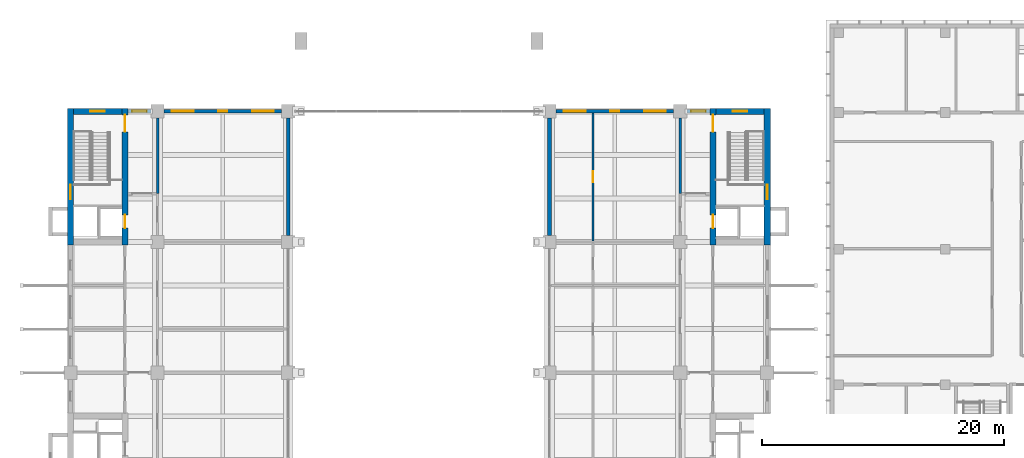
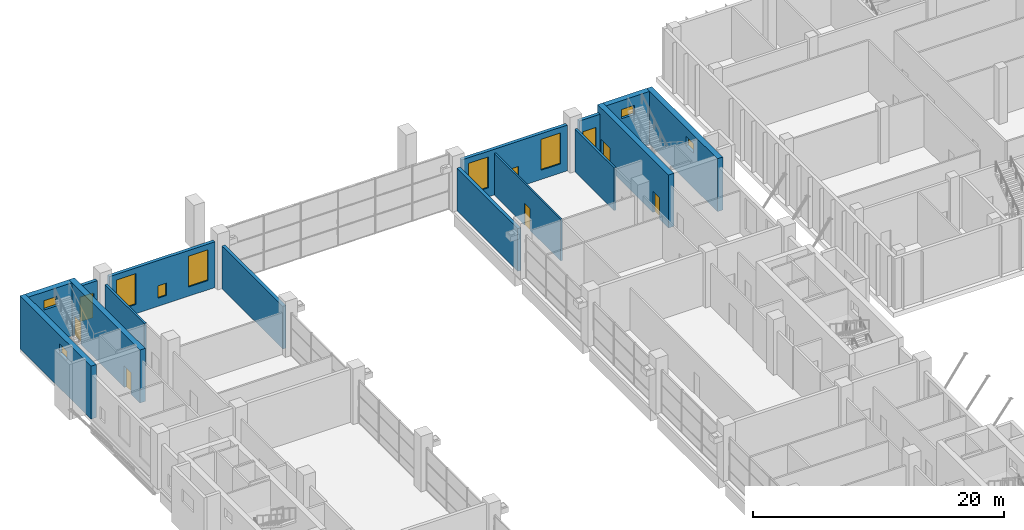
# One storey, part 24 of 38: 15 walls, 12 windows, 5 doors, 17 openings.
"""IFC4 building model written with IfcOpenShell, lengths in metres."""

from ifc_helpers import new_model, si_unit, direction, frame, frame_2d, origin, place, context, subcontext, project, spatial, rectangle, extrude, material, layer, layer_set, type_object, element, fill, save


model = new_model("IFC4")

# Units and contexts
model_context = context("Model", 3, precision=1e-05, world=origin(), true_north=direction((0.0, 1.0)))
body_context = subcontext(model_context, "Body", "Model", "MODEL_VIEW")
ifc_project = project(units=[si_unit("LENGTHUNIT", "METRE"), si_unit("AREAUNIT", "SQUARE_METRE"), si_unit("VOLUMEUNIT", "CUBIC_METRE"), si_unit("PLANEANGLEUNIT", "RADIAN"), si_unit("MASSUNIT", "GRAM", prefix="KILO")], contexts=[model_context])

# Site, building, storey
site_placement = place(None, origin())
site = spatial("IfcSite", under=ifc_project, at=site_placement, CompositionType="ELEMENT")
building_placement = place(site_placement, origin())
building = spatial("IfcBuilding", under=site, at=building_placement, Name="Basin Gate Institute", CompositionType="ELEMENT")
storey_placement = place(building_placement, frame((0.0, 0.0, 16.800048828125)))
storey = spatial("IfcBuildingStorey", under=building, at=storey_placement, Name="L03", CompositionType="ELEMENT", Elevation=16.800048828125)

# Walls
ifc_material_1 = material(Name="Fire-resisting board wall assembly")
ifc_layer_1 = layer(ifc_material_1, 0.300048828125)
ifc_layer_set_1 = layer_set([ifc_layer_1], Name="Atrium enclosure wall EW4")
wall_type_1 = type_object("IfcWallType", Name="Atrium enclosure wall EW4", PredefinedType="STANDARD", material=ifc_layer_set_1)
for number, where, z_axis, x_axis, name in (
    (1, (79.199951171875, 89.64990234375, 0.0), (0.0, 0.0, 1.0), (0.0, 1.0, 0.0), "Atrium enclosure wall W wing bay 6 L03"),
    (2, (100.800048828125, 89.64990234375, 0.0), (0.0, 0.0, 1.0), (0.0, 1.0, 0.0), "Atrium enclosure wall E wing bay 6 L03"),
):
    element("IfcWall", number, at=place(storey_placement, frame(where, z_axis=z_axis, x_axis=x_axis)), inside=storey, type_object=wall_type_1, material=ifc_layer_set_1, Name=name, PredefinedType="STANDARD", context=body_context, shape_type="SweptSolid", body=[
        extrude(rectangle(XDim=9.7001953125, YDim=0.300048828125, at=frame_2d((4.85009765625, 0.0))), origin(), (0.0, 0.0, 1.0), 4.14990234375),
    ])
ifc_material_2 = material(Name="Fire-rated masonry", Category="masonry")
ifc_layer_2 = layer(ifc_material_2, 0.199951171875)
ifc_layer_set_2 = layer_set([ifc_layer_2], Name="Enclosure wall PW2 200 EI 60")
wall_type_2 = type_object("IfcWallType", Name="Enclosure wall PW2 200 EI 60", PredefinedType="PARTITIONING", material=ifc_layer_set_2)
for number, where, z_axis, x_axis, name in (
    (3, (68.39990234375, 93.10009765625, 0.0), (0.0, 0.0, 1.0), (0.0, 1.0, 0.0), "Smoke lobby enclosure wall PW2 L03"),
    (4, (111.60009765625, 93.10009765625, 0.0), (0.0, 0.0, 1.0), (0.0, 1.0, 0.0), "Smoke lobby enclosure wall PW2 L03"),
):
    element("IfcWall", number, at=place(storey_placement, frame(where, z_axis=z_axis, x_axis=x_axis)), inside=storey, type_object=wall_type_2, material=ifc_layer_set_2, Name=name, PredefinedType="PARTITIONING", context=body_context, shape_type="SweptSolid", body=[
        extrude(rectangle(XDim=6.25, YDim=0.199951171875, at=frame_2d((3.125, 0.0))), origin(), (0.0, 0.0, 1.0), 4.14990234375),
    ])

# Wall, opening, window
ifc_material_3 = material(Name="Aluminium-faced insulated panel wall", Category="aluminium")
ifc_layer_3 = layer(ifc_material_3, 0.300048828125)
ifc_layer_set_3 = layer_set([ifc_layer_3], Name="External wall EW1 EI 120")
wall_type_3 = type_object("IfcWallType", Name="External wall EW1 EI 120", PredefinedType="STANDARD", material=ifc_layer_set_3)
wall_1_placement = place(storey_placement, frame((65.949951171875, 99.89990234375, 0.0), z_axis=(0.0, 0.0, 1.0), x_axis=(1.0, 0.0, 0.0)))
wall_1 = element("IfcWall", 5, at=wall_1_placement, inside=storey, type_object=wall_type_3, material=ifc_layer_set_3, Name="External end wall W wing north L03 1", PredefinedType="STANDARD", context=body_context, shape_type="SweptSolid", body=[
    extrude(rectangle(XDim=1.900146484375, YDim=0.300048828125, at=frame_2d((0.9501953125, 0.0))), origin(), (0.0, 0.0, 1.0), 4.449951171875),
])
opening_1_placement = place(wall_1_placement, frame((0.35009765625, 0.0, 0.89990234375)))
opening_1 = element("IfcOpeningElement", 6, at=opening_1_placement, cuts=wall_1, Name="Opening WN4", PredefinedType="OPENING", context=body_context, shape_type="SweptSolid", body=[
    extrude(rectangle(XDim=1.199951171875, YDim=2.39990234375, at=frame_2d((0.60009765625, 1.199951171875))), frame((0.0, 0.16015625, 0.0), z_axis=(0.0, -1.0, 0.0), x_axis=(1.0, 0.0, 0.0)), (0.0, 0.0, 1.0), 0.320068359375),
])
ifc_material_4 = material(Name="Aluminium-framed double glazing", Category="aluminium")
window_type_1 = type_object("IfcWindowType", Name="Corridor end window WN4", PartitioningType="SINGLE_PANEL", PredefinedType="WINDOW", material=ifc_material_4)
window_1_placement = place(opening_1_placement, origin())
window_1 = element("IfcWindow", 7, at=window_1_placement, inside=storey, type_object=window_type_1, material=ifc_material_4, Name="Corridor end window W wing N L03", OverallHeight=2.39990234375, OverallWidth=1.199951171875, PartitioningType="SINGLE_PANEL", PredefinedType="WINDOW", context=body_context, shape_type="SweptSolid", body=[
    extrude(rectangle(XDim=1.199951171875, YDim=2.39990234375, at=frame_2d((0.60009765625, 1.199951171875))), frame((0.0, 0.030029296875, 0.0), z_axis=(0.0, -1.0, 0.0), x_axis=(1.0, 0.0, 0.0)), (0.0, 0.0, 1.0), 0.06005859375),
])
fill(opening_1, window_1)

# Wall, openings, windows
wall_2_placement = place(storey_placement, frame((68.949951171875, 99.89990234375, 0.0), z_axis=(0.0, 0.0, 1.0), x_axis=(1.0, 0.0, 0.0)))
wall_2 = element("IfcWall", 8, at=wall_2_placement, inside=storey, type_object=wall_type_3, material=ifc_layer_set_3, Name="External end wall W wing north L03 2", PredefinedType="STANDARD", context=body_context, shape_type="SweptSolid", body=[
    extrude(rectangle(XDim=9.699951171875, YDim=0.300048828125, at=frame_2d((4.85009765625, 0.0))), origin(), (0.0, 0.0, 1.0), 4.449951171875),
])
opening_2_placement = place(wall_2_placement, frame((0.625, 0.0, 0.89990234375)))
opening_2 = element("IfcOpeningElement", 9, at=opening_2_placement, cuts=wall_2, Name="Opening WN2", PredefinedType="OPENING", context=body_context, shape_type="SweptSolid", body=[
    extrude(rectangle(XDim=1.800048828125, YDim=3.0, at=frame_2d((0.89990234375, 1.5))), frame((0.0, 0.16015625, 0.0), z_axis=(0.0, -1.0, 0.0), x_axis=(1.0, 0.0, 0.0)), (0.0, 0.0, 1.0), 0.320068359375),
])
opening_3_placement = place(wall_2_placement, frame((4.47509765625, 0.0, 0.800048828125)))
opening_3 = element("IfcOpeningElement", 10, at=opening_3_placement, cuts=wall_2, Name="Opening WN3", PredefinedType="OPENING", context=body_context, shape_type="SweptSolid", body=[
    extrude(rectangle(XDim=0.75, YDim=1.199951171875, at=frame_2d((0.375, 0.60009765625))), frame((0.0, 0.16015625, 0.0), z_axis=(0.0, -1.0, 0.0), x_axis=(1.0, 0.0, 0.0)), (0.0, 0.0, 1.0), 0.320068359375),
])
opening_4_placement = place(wall_2_placement, frame((7.27490234375, 0.0, 0.89990234375)))
opening_4 = element("IfcOpeningElement", 11, at=opening_4_placement, cuts=wall_2, Name="Opening WN2", PredefinedType="OPENING", context=body_context, shape_type="SweptSolid", body=[
    extrude(rectangle(XDim=1.800048828125, YDim=3.0, at=frame_2d((0.89990234375, 1.5))), frame((0.0, 0.16015625, 0.0), z_axis=(0.0, -1.0, 0.0), x_axis=(1.0, 0.0, 0.0)), (0.0, 0.0, 1.0), 0.320068359375),
])
ifc_material_5 = material(Name="Aluminium-framed double glazing", Category="aluminium")
window_type_2 = type_object("IfcWindowType", Name="Emergency entry panel WN3", PartitioningType="SINGLE_PANEL", PredefinedType="WINDOW", material=ifc_material_5)
window_2_placement = place(opening_3_placement, origin())
window_2 = element("IfcWindow", 12, at=window_2_placement, inside=storey, type_object=window_type_2, material=ifc_material_5, Name="Emergency entry panel W wing end N L03 bay 2", OverallHeight=1.199951171875, OverallWidth=0.75, PartitioningType="SINGLE_PANEL", PredefinedType="WINDOW", context=body_context, shape_type="SweptSolid", body=[
    extrude(rectangle(XDim=0.75, YDim=1.199951171875, at=frame_2d((0.375, 0.60009765625))), frame((0.0, 0.030029296875, 0.0), z_axis=(0.0, -1.0, 0.0), x_axis=(1.0, 0.0, 0.0)), (0.0, 0.0, 1.0), 0.06005859375),
])
fill(opening_3, window_2)
ifc_material_6 = material(Name="Aluminium-framed double glazing", Category="aluminium")
window_type_3 = type_object("IfcWindowType", Name="Podium window WN2", PartitioningType="SINGLE_PANEL", PredefinedType="WINDOW", material=ifc_material_6)
window_3_placement = place(opening_2_placement, origin())
window_3 = element("IfcWindow", 13, at=window_3_placement, inside=storey, type_object=window_type_3, material=ifc_material_6, Name="Podium window W wing end N L03 bay 1", OverallHeight=3.0, OverallWidth=1.800048828125, PartitioningType="SINGLE_PANEL", PredefinedType="WINDOW", context=body_context, shape_type="SweptSolid", body=[
    extrude(rectangle(XDim=1.800048828125, YDim=3.0, at=frame_2d((0.89990234375, 1.5))), frame((0.0, 0.030029296875, 0.0), z_axis=(0.0, -1.0, 0.0), x_axis=(1.0, 0.0, 0.0)), (0.0, 0.0, 1.0), 0.06005859375),
])
fill(opening_2, window_3)
window_4_placement = place(opening_4_placement, origin())
window_4 = element("IfcWindow", 14, at=window_4_placement, inside=storey, type_object=window_type_3, material=ifc_material_6, Name="Podium window W wing end N L03 bay 3", OverallHeight=3.0, OverallWidth=1.800048828125, PartitioningType="SINGLE_PANEL", PredefinedType="WINDOW", context=body_context, shape_type="SweptSolid", body=[
    extrude(rectangle(XDim=1.800048828125, YDim=3.0, at=frame_2d((0.89990234375, 1.5))), frame((0.0, 0.030029296875, 0.0), z_axis=(0.0, -1.0, 0.0), x_axis=(1.0, 0.0, 0.0)), (0.0, 0.0, 1.0), 0.06005859375),
])
fill(opening_4, window_4)

# Wall, opening, window
wall_3_placement = place(storey_placement, frame((114.050048828125, 99.89990234375, 0.0), z_axis=(0.0, 0.0, 1.0), x_axis=(-1.0, 0.0, 0.0)))
wall_3 = element("IfcWall", 15, at=wall_3_placement, inside=storey, type_object=wall_type_3, material=ifc_layer_set_3, Name="External end wall E wing north L03 1", PredefinedType="STANDARD", context=body_context, shape_type="SweptSolid", body=[
    extrude(rectangle(XDim=1.900146484375, YDim=0.300048828125, at=frame_2d((0.9501953125, 0.0))), origin(), (0.0, 0.0, 1.0), 4.449951171875),
])
opening_5_placement = place(wall_3_placement, frame((0.35009765625, 0.0, 0.89990234375)))
opening_5 = element("IfcOpeningElement", 16, at=opening_5_placement, cuts=wall_3, Name="Opening WN4", PredefinedType="OPENING", context=body_context, shape_type="SweptSolid", body=[
    extrude(rectangle(XDim=1.199951171875, YDim=2.39990234375, at=frame_2d((0.60009765625, 1.199951171875))), frame((0.0, 0.16015625, 0.0), z_axis=(0.0, -1.0, 0.0), x_axis=(1.0, 0.0, 0.0)), (0.0, 0.0, 1.0), 0.320068359375),
])
window_5_placement = place(opening_5_placement, origin())
window_5 = element("IfcWindow", 17, at=window_5_placement, inside=storey, type_object=window_type_1, material=ifc_material_4, Name="Corridor end window E wing N L03", OverallHeight=2.39990234375, OverallWidth=1.199951171875, PartitioningType="SINGLE_PANEL", PredefinedType="WINDOW", context=body_context, shape_type="SweptSolid", body=[
    extrude(rectangle(XDim=1.199951171875, YDim=2.39990234375, at=frame_2d((0.60009765625, 1.199951171875))), frame((0.0, 0.030029296875, 0.0), z_axis=(0.0, -1.0, 0.0), x_axis=(1.0, 0.0, 0.0)), (0.0, 0.0, 1.0), 0.06005859375),
])
fill(opening_5, window_5)

# Wall, openings, windows
wall_4_placement = place(storey_placement, frame((111.050048828125, 99.89990234375, 0.0), z_axis=(0.0, 0.0, 1.0), x_axis=(-1.0, 0.0, 0.0)))
wall_4 = element("IfcWall", 18, at=wall_4_placement, inside=storey, type_object=wall_type_3, material=ifc_layer_set_3, Name="External end wall E wing north L03 2", PredefinedType="STANDARD", context=body_context, shape_type="SweptSolid", body=[
    extrude(rectangle(XDim=9.699951171875, YDim=0.300048828125, at=frame_2d((4.85009765625, 0.0))), origin(), (0.0, 0.0, 1.0), 4.449951171875),
])
opening_6_placement = place(wall_4_placement, frame((0.625, 0.0, 0.89990234375)))
opening_6 = element("IfcOpeningElement", 19, at=opening_6_placement, cuts=wall_4, Name="Opening WN2", PredefinedType="OPENING", context=body_context, shape_type="SweptSolid", body=[
    extrude(rectangle(XDim=1.800048828125, YDim=3.0, at=frame_2d((0.89990234375, 1.5))), frame((0.0, 0.16015625, 0.0), z_axis=(0.0, -1.0, 0.0), x_axis=(1.0, 0.0, 0.0)), (0.0, 0.0, 1.0), 0.320068359375),
])
opening_7_placement = place(wall_4_placement, frame((4.47509765625, 0.0, 0.800048828125)))
opening_7 = element("IfcOpeningElement", 20, at=opening_7_placement, cuts=wall_4, Name="Opening WN3", PredefinedType="OPENING", context=body_context, shape_type="SweptSolid", body=[
    extrude(rectangle(XDim=0.75, YDim=1.199951171875, at=frame_2d((0.375, 0.60009765625))), frame((0.0, 0.16015625, 0.0), z_axis=(0.0, -1.0, 0.0), x_axis=(1.0, 0.0, 0.0)), (0.0, 0.0, 1.0), 0.320068359375),
])
opening_8_placement = place(wall_4_placement, frame((7.27490234375, 0.0, 0.89990234375)))
opening_8 = element("IfcOpeningElement", 21, at=opening_8_placement, cuts=wall_4, Name="Opening WN2", PredefinedType="OPENING", context=body_context, shape_type="SweptSolid", body=[
    extrude(rectangle(XDim=1.800048828125, YDim=3.0, at=frame_2d((0.89990234375, 1.5))), frame((0.0, 0.16015625, 0.0), z_axis=(0.0, -1.0, 0.0), x_axis=(1.0, 0.0, 0.0)), (0.0, 0.0, 1.0), 0.320068359375),
])
window_6_placement = place(opening_7_placement, origin())
window_6 = element("IfcWindow", 22, at=window_6_placement, inside=storey, type_object=window_type_2, material=ifc_material_5, Name="Emergency entry panel E wing end N L03 bay 2", OverallHeight=1.199951171875, OverallWidth=0.75, PartitioningType="SINGLE_PANEL", PredefinedType="WINDOW", context=body_context, shape_type="SweptSolid", body=[
    extrude(rectangle(XDim=0.75, YDim=1.199951171875, at=frame_2d((0.375, 0.60009765625))), frame((0.0, 0.030029296875, 0.0), z_axis=(0.0, -1.0, 0.0), x_axis=(1.0, 0.0, 0.0)), (0.0, 0.0, 1.0), 0.06005859375),
])
fill(opening_7, window_6)
window_7_placement = place(opening_6_placement, origin())
window_7 = element("IfcWindow", 23, at=window_7_placement, inside=storey, type_object=window_type_3, material=ifc_material_6, Name="Podium window E wing end N L03 bay 1", OverallHeight=3.0, OverallWidth=1.800048828125, PartitioningType="SINGLE_PANEL", PredefinedType="WINDOW", context=body_context, shape_type="SweptSolid", body=[
    extrude(rectangle(XDim=1.800048828125, YDim=3.0, at=frame_2d((0.89990234375, 1.5))), frame((0.0, 0.030029296875, 0.0), z_axis=(0.0, -1.0, 0.0), x_axis=(1.0, 0.0, 0.0)), (0.0, 0.0, 1.0), 0.06005859375),
])
fill(opening_6, window_7)
window_8_placement = place(opening_8_placement, origin())
window_8 = element("IfcWindow", 24, at=window_8_placement, inside=storey, type_object=window_type_3, material=ifc_material_6, Name="Podium window E wing end N L03 bay 3", OverallHeight=3.0, OverallWidth=1.800048828125, PartitioningType="SINGLE_PANEL", PredefinedType="WINDOW", context=body_context, shape_type="SweptSolid", body=[
    extrude(rectangle(XDim=1.800048828125, YDim=3.0, at=frame_2d((0.89990234375, 1.5))), frame((0.0, 0.030029296875, 0.0), z_axis=(0.0, -1.0, 0.0), x_axis=(1.0, 0.0, 0.0)), (0.0, 0.0, 1.0), 0.06005859375),
])
fill(opening_8, window_8)

# Wall, opening, door
ifc_material_7 = material(Name="Gypsum board on steel stud", Category="steel")
ifc_layer_4 = layer(ifc_material_7, 0.14990234375)
ifc_layer_set_4 = layer_set([ifc_layer_4], Name="Gypsum board on steel stud")
wall_type_4 = type_object("IfcWallType", Name="Partition PW1 150 EI 60", PredefinedType="PARTITIONING", material=ifc_layer_set_4)
wall_5_placement = place(storey_placement, frame((104.39990234375, 89.175048828125, 0.0), z_axis=(0.0, 0.0, 1.0), x_axis=(0.0, 1.0, 0.0)))
wall_5 = element("IfcWall", 25, at=wall_5_placement, inside=storey, type_object=wall_type_4, material=ifc_layer_set_4, Name="Laboratory partition PW1 L03", PredefinedType="PARTITIONING", context=body_context, shape_type="SweptSolid", body=[
    extrude(rectangle(XDim=10.574951171875, YDim=0.14990234375, at=frame_2d((5.28759765625, 0.0))), origin(), (0.0, 0.0, 1.0), 4.050048828125),
])
opening_9_placement = place(wall_5_placement, frame((4.875, 0.0, 0.0)))
opening_9 = element("IfcOpeningElement", 26, at=opening_9_placement, cuts=wall_5, Name="Opening DR167", PredefinedType="OPENING", context=body_context, shape_type="SweptSolid", body=[
    extrude(rectangle(XDim=0.89990234375, YDim=2.10009765625, at=frame_2d((0.449951171875, 1.050048828125))), frame((0.0, 0.0849609375, 0.0), z_axis=(0.0, -1.0, 0.0), x_axis=(1.0, 0.0, 0.0)), (0.0, 0.0, 1.0), 0.169921875),
])
ifc_material_8 = material(Name="Steel fire door", Category="steel")
door_type_1 = type_object("IfcDoorType", Name="FD60 Riser door D10", OperationType="NOTDEFINED", PredefinedType="DOOR", material=ifc_material_8)
door_1_placement = place(opening_9_placement, frame((0.89990234375, 0.0, 0.0), z_axis=(0.0, 0.0, 1.0), x_axis=(-1.0, 0.0, 0.0)))
door_1 = element("IfcDoor", 27, at=door_1_placement, inside=storey, type_object=door_type_1, material=ifc_material_8, Name="Door to Riser Room 0379 L03", OperationType="SINGLE_SWING_RIGHT", OverallHeight=2.10009765625, OverallWidth=0.89990234375, PredefinedType="DOOR", context=body_context, shape_type="SweptSolid", body=[
    extrude(rectangle(XDim=0.89990234375, YDim=2.10009765625, at=frame_2d((0.449951171875, 1.050048828125))), frame((0.0, 0.02490234375, 0.0), z_axis=(0.0, -1.0, 0.0), x_axis=(1.0, 0.0, 0.0)), (0.0, 0.0, 1.0), 0.050048828125),
])
fill(opening_9, door_1)

# Wall, opening, window
ifc_material_9 = material(Name="Concrete 60 MPa", Category="concrete")
ifc_layer_5 = layer(ifc_material_9, 0.5)
ifc_layer_set_5 = layer_set([ifc_layer_5], Name="Concrete 60 MPa")
wall_type_5 = type_object("IfcWallType", Name="Wall SW1 R180", PredefinedType="SHEAR", material=ifc_layer_set_5)
wall_6_placement = place(storey_placement, frame((61.199951171875, 88.85009765625, 0.0), z_axis=(0.0, 0.0, 1.0), x_axis=(0.0, 1.0, 0.0)))
wall_6 = element("IfcWall", 28, at=wall_6_placement, inside=storey, type_object=wall_type_5, material=ifc_layer_set_5, Name="WALL/L03/WN/L", PredefinedType="SHEAR", context=body_context, shape_type="SweptSolid", body=[
    extrude(rectangle(XDim=11.2998046875, YDim=0.5, at=frame_2d((5.64990234375, 0.0))), origin(), (0.0, 0.0, 1.0), 5.14990234375),
])
opening_10_placement = place(wall_6_placement, frame((3.800048828125, 0.0, 3.39990234375)))
opening_10 = element("IfcOpeningElement", 29, at=opening_10_placement, cuts=wall_6, Name="Opening WT1", PredefinedType="OPENING", context=body_context, shape_type="SweptSolid", body=[
    extrude(rectangle(XDim=1.199951171875, YDim=0.89990234375, at=frame_2d((0.60009765625, 0.449951171875))), frame((0.0, 0.260009765625, 0.0), z_axis=(0.0, -1.0, 0.0), x_axis=(1.0, 0.0, 0.0)), (0.0, 0.0, 1.0), 0.52001953125),
])
ifc_material_10 = material(Name="Fire-resistant glazing in steel-free frame", Category="steel")
window_type_4 = type_object("IfcWindowType", Name="Rated stair window EI 180 WT1", PartitioningType="SINGLE_PANEL", PredefinedType="WINDOW", material=ifc_material_10)
window_9_placement = place(opening_10_placement, origin())
window_9 = element("IfcWindow", 30, at=window_9_placement, inside=storey, type_object=window_type_4, material=ifc_material_10, Name="Rated stair window EI 180 WN landing L03", OverallHeight=0.89990234375, OverallWidth=1.199951171875, PartitioningType="SINGLE_PANEL", PredefinedType="WINDOW", context=body_context, shape_type="SweptSolid", body=[
    extrude(rectangle(XDim=1.199951171875, YDim=0.89990234375, at=frame_2d((0.60009765625, 0.449951171875))), frame((0.0, 0.030029296875, 0.0), z_axis=(0.0, -1.0, 0.0), x_axis=(1.0, 0.0, 0.0)), (0.0, 0.0, 1.0), 0.06005859375),
])
fill(opening_10, window_9)

# Wall, openings, doors
wall_7_placement = place(storey_placement, frame((65.699951171875, 88.85009765625, 0.0), z_axis=(0.0, 0.0, 1.0), x_axis=(0.0, 1.0, 0.0)))
wall_7 = element("IfcWall", 31, at=wall_7_placement, inside=storey, type_object=wall_type_5, material=ifc_layer_set_5, Name="WALL/L03/WN/C", PredefinedType="SHEAR", context=body_context, shape_type="SweptSolid", body=[
    extrude(rectangle(XDim=11.2998046875, YDim=0.5, at=frame_2d((5.64990234375, 0.0))), origin(), (0.0, 0.0, 1.0), 5.14990234375),
])
opening_11_placement = place(wall_7_placement, frame((9.35009765625, 0.0, 0.0)))
opening_11 = element("IfcOpeningElement", 32, at=opening_11_placement, cuts=wall_7, Name="Opening DS021", PredefinedType="OPENING", context=body_context, shape_type="SweptSolid", body=[
    extrude(rectangle(XDim=1.39990234375, YDim=2.10009765625, at=frame_2d((0.699951171875, 1.050048828125))), frame((0.0, 0.260009765625, 0.0), z_axis=(0.0, -1.0, 0.0), x_axis=(1.0, 0.0, 0.0)), (0.0, 0.0, 1.0), 0.52001953125),
])
opening_12_placement = place(wall_7_placement, frame((1.39990234375, 0.0, 0.0)))
opening_12 = element("IfcOpeningElement", 33, at=opening_12_placement, cuts=wall_7, Name="Opening LD058", PredefinedType="OPENING", context=body_context, shape_type="SweptSolid", body=[
    extrude(rectangle(XDim=1.10009765625, YDim=2.10009765625, at=frame_2d((0.550048828125, 1.050048828125))), frame((0.0, 0.260009765625, 0.0), z_axis=(0.0, -1.0, 0.0), x_axis=(1.0, 0.0, 0.0)), (0.0, 0.0, 1.0), 0.52001953125),
])
ifc_material_11 = material(Name="Steel fire door", Category="steel")
door_type_2 = type_object("IfcDoorType", Name="FD30 Stair enclosure door DS", OperationType="DOUBLE_DOOR_SINGLE_SWING", PredefinedType="DOOR", material=ifc_material_11)
door_2_placement = place(opening_11_placement, origin())
door_2 = element("IfcDoor", 34, at=door_2_placement, inside=storey, type_object=door_type_2, material=ifc_material_11, Name="Stair enclosure door ST-WN L03", OperationType="DOUBLE_DOOR_SINGLE_SWING", OverallHeight=2.10009765625, OverallWidth=1.39990234375, PredefinedType="DOOR", context=body_context, shape_type="SweptSolid", body=[
    extrude(rectangle(XDim=1.39990234375, YDim=2.10009765625, at=frame_2d((0.699951171875, 1.050048828125))), frame((0.0, 0.02490234375, 0.0), z_axis=(0.0, -1.0, 0.0), x_axis=(1.0, 0.0, 0.0)), (0.0, 0.0, 1.0), 0.050048828125),
])
fill(opening_11, door_2)
ifc_material_12 = material(Name="Stainless steel", Category="steel")
door_type_3 = type_object("IfcDoorType", Name="FD60 Lift landing door LD", OperationType="SLIDING_TO_LEFT", PredefinedType="DOOR", material=ifc_material_12)
door_3_placement = place(opening_12_placement, origin())
door_3 = element("IfcDoor", 35, at=door_3_placement, inside=storey, type_object=door_type_3, material=ifc_material_12, Name="Lift landing door LP3 L03", OperationType="SLIDING_TO_LEFT", OverallHeight=2.10009765625, OverallWidth=1.10009765625, PredefinedType="DOOR", context=body_context, shape_type="SweptSolid", body=[
    extrude(rectangle(XDim=1.10009765625, YDim=2.10009765625, at=frame_2d((0.550048828125, 1.050048828125))), frame((0.0, 0.02490234375, 0.0), z_axis=(0.0, -1.0, 0.0), x_axis=(1.0, 0.0, 0.0)), (0.0, 0.0, 1.0), 0.050048828125),
])
fill(opening_12, door_3)

# Wall, opening, window
wall_8_placement = place(storey_placement, frame((61.449951171875, 99.89990234375, 0.0), z_axis=(0.0, 0.0, 1.0), x_axis=(1.0, 0.0, 0.0)))
wall_8 = element("IfcWall", 36, at=wall_8_placement, inside=storey, type_object=wall_type_5, material=ifc_layer_set_5, Name="WALL/L03/WN/N", PredefinedType="SHEAR", context=body_context, shape_type="SweptSolid", body=[
    extrude(rectangle(XDim=4.0, YDim=0.5, at=frame_2d((2.0, 0.0))), origin(), (0.0, 0.0, 1.0), 5.14990234375),
])
opening_13_placement = place(wall_8_placement, frame((1.39990234375, 0.0, 3.39990234375)))
opening_13 = element("IfcOpeningElement", 37, at=opening_13_placement, cuts=wall_8, Name="Opening WT1", PredefinedType="OPENING", context=body_context, shape_type="SweptSolid", body=[
    extrude(rectangle(XDim=1.199951171875, YDim=0.89990234375, at=frame_2d((0.60009765625, 0.449951171875))), frame((0.0, 0.260009765625, 0.0), z_axis=(0.0, -1.0, 0.0), x_axis=(1.0, 0.0, 0.0)), (0.0, 0.0, 1.0), 0.52001953125),
])
window_10_placement = place(opening_13_placement, origin())
window_10 = element("IfcWindow", 38, at=window_10_placement, inside=storey, type_object=window_type_4, material=ifc_material_10, Name="Rated stair window EI 180 WN end L03", OverallHeight=0.89990234375, OverallWidth=1.199951171875, PartitioningType="SINGLE_PANEL", PredefinedType="WINDOW", context=body_context, shape_type="SweptSolid", body=[
    extrude(rectangle(XDim=1.199951171875, YDim=0.89990234375, at=frame_2d((0.60009765625, 0.449951171875))), frame((0.0, 0.030029296875, 0.0), z_axis=(0.0, -1.0, 0.0), x_axis=(1.0, 0.0, 0.0)), (0.0, 0.0, 1.0), 0.06005859375),
])
fill(opening_13, window_10)

wall_9_placement = place(storey_placement, frame((118.800048828125, 88.85009765625, 0.0), z_axis=(0.0, 0.0, 1.0), x_axis=(0.0, 1.0, 0.0)))
wall_9 = element("IfcWall", 39, at=wall_9_placement, inside=storey, type_object=wall_type_5, material=ifc_layer_set_5, Name="WALL/L03/EN/L", PredefinedType="SHEAR", context=body_context, shape_type="SweptSolid", body=[
    extrude(rectangle(XDim=11.2998046875, YDim=0.5, at=frame_2d((5.64990234375, 0.0))), origin(), (0.0, 0.0, 1.0), 5.14990234375),
])
opening_14_placement = place(wall_9_placement, frame((3.800048828125, 0.0, 3.39990234375)))
opening_14 = element("IfcOpeningElement", 40, at=opening_14_placement, cuts=wall_9, Name="Opening WT1", PredefinedType="OPENING", context=body_context, shape_type="SweptSolid", body=[
    extrude(rectangle(XDim=1.199951171875, YDim=0.89990234375, at=frame_2d((0.60009765625, 0.449951171875))), frame((0.0, 0.260009765625, 0.0), z_axis=(0.0, -1.0, 0.0), x_axis=(1.0, 0.0, 0.0)), (0.0, 0.0, 1.0), 0.52001953125),
])
window_11_placement = place(opening_14_placement, origin())
window_11 = element("IfcWindow", 41, at=window_11_placement, inside=storey, type_object=window_type_4, material=ifc_material_10, Name="Rated stair window EI 180 EN landing L03", OverallHeight=0.89990234375, OverallWidth=1.199951171875, PartitioningType="SINGLE_PANEL", PredefinedType="WINDOW", context=body_context, shape_type="SweptSolid", body=[
    extrude(rectangle(XDim=1.199951171875, YDim=0.89990234375, at=frame_2d((0.60009765625, 0.449951171875))), frame((0.0, 0.030029296875, 0.0), z_axis=(0.0, -1.0, 0.0), x_axis=(1.0, 0.0, 0.0)), (0.0, 0.0, 1.0), 0.06005859375),
])
fill(opening_14, window_11)

# Wall, openings, doors
wall_10_placement = place(storey_placement, frame((114.300048828125, 88.85009765625, 0.0), z_axis=(0.0, 0.0, 1.0), x_axis=(0.0, 1.0, 0.0)))
wall_10 = element("IfcWall", 42, at=wall_10_placement, inside=storey, type_object=wall_type_5, material=ifc_layer_set_5, Name="WALL/L03/EN/C", PredefinedType="SHEAR", context=body_context, shape_type="SweptSolid", body=[
    extrude(rectangle(XDim=11.2998046875, YDim=0.5, at=frame_2d((5.64990234375, 0.0))), origin(), (0.0, 0.0, 1.0), 5.14990234375),
])
opening_15_placement = place(wall_10_placement, frame((9.35009765625, 0.0, 0.0)))
opening_15 = element("IfcOpeningElement", 43, at=opening_15_placement, cuts=wall_10, Name="Opening DS024", PredefinedType="OPENING", context=body_context, shape_type="SweptSolid", body=[
    extrude(rectangle(XDim=1.39990234375, YDim=2.10009765625, at=frame_2d((0.699951171875, 1.050048828125))), frame((0.0, 0.260009765625, 0.0), z_axis=(0.0, -1.0, 0.0), x_axis=(1.0, 0.0, 0.0)), (0.0, 0.0, 1.0), 0.52001953125),
])
opening_16_placement = place(wall_10_placement, frame((1.39990234375, 0.0, 0.0)))
opening_16 = element("IfcOpeningElement", 44, at=opening_16_placement, cuts=wall_10, Name="Opening LD109", PredefinedType="OPENING", context=body_context, shape_type="SweptSolid", body=[
    extrude(rectangle(XDim=1.10009765625, YDim=2.10009765625, at=frame_2d((0.550048828125, 1.050048828125))), frame((0.0, 0.260009765625, 0.0), z_axis=(0.0, -1.0, 0.0), x_axis=(1.0, 0.0, 0.0)), (0.0, 0.0, 1.0), 0.52001953125),
])
door_4_placement = place(opening_15_placement, frame((1.39990234375, 0.0, 0.0), z_axis=(0.0, 0.0, 1.0), x_axis=(-1.0, 0.0, 0.0)))
door_4 = element("IfcDoor", 45, at=door_4_placement, inside=storey, type_object=door_type_2, material=ifc_material_11, Name="Stair enclosure door ST-EN L03", OperationType="DOUBLE_DOOR_SINGLE_SWING", OverallHeight=2.10009765625, OverallWidth=1.39990234375, PredefinedType="DOOR", context=body_context, shape_type="SweptSolid", body=[
    extrude(rectangle(XDim=1.39990234375, YDim=2.10009765625, at=frame_2d((0.699951171875, 1.050048828125))), frame((0.0, 0.02490234375, 0.0), z_axis=(0.0, -1.0, 0.0), x_axis=(1.0, 0.0, 0.0)), (0.0, 0.0, 1.0), 0.050048828125),
])
fill(opening_15, door_4)
door_5_placement = place(opening_16_placement, origin())
door_5 = element("IfcDoor", 46, at=door_5_placement, inside=storey, type_object=door_type_3, material=ifc_material_12, Name="Lift landing door LP6 L03", OperationType="SLIDING_TO_LEFT", OverallHeight=2.10009765625, OverallWidth=1.10009765625, PredefinedType="DOOR", context=body_context, shape_type="SweptSolid", body=[
    extrude(rectangle(XDim=1.10009765625, YDim=2.10009765625, at=frame_2d((0.550048828125, 1.050048828125))), frame((0.0, 0.02490234375, 0.0), z_axis=(0.0, -1.0, 0.0), x_axis=(1.0, 0.0, 0.0)), (0.0, 0.0, 1.0), 0.050048828125),
])
fill(opening_16, door_5)

# Wall, opening, window
wall_11_placement = place(storey_placement, frame((118.550048828125, 99.89990234375, 0.0), z_axis=(0.0, 0.0, 1.0), x_axis=(-1.0, 0.0, 0.0)))
wall_11 = element("IfcWall", 47, at=wall_11_placement, inside=storey, type_object=wall_type_5, material=ifc_layer_set_5, Name="WALL/L03/EN/N", PredefinedType="SHEAR", context=body_context, shape_type="SweptSolid", body=[
    extrude(rectangle(XDim=4.0, YDim=0.5, at=frame_2d((2.0, 0.0))), origin(), (0.0, 0.0, 1.0), 5.14990234375),
])
opening_17_placement = place(wall_11_placement, frame((1.39990234375, 0.0, 3.39990234375)))
opening_17 = element("IfcOpeningElement", 48, at=opening_17_placement, cuts=wall_11, Name="Opening WT1", PredefinedType="OPENING", context=body_context, shape_type="SweptSolid", body=[
    extrude(rectangle(XDim=1.199951171875, YDim=0.89990234375, at=frame_2d((0.60009765625, 0.449951171875))), frame((0.0, 0.260009765625, 0.0), z_axis=(0.0, -1.0, 0.0), x_axis=(1.0, 0.0, 0.0)), (0.0, 0.0, 1.0), 0.52001953125),
])
window_12_placement = place(opening_17_placement, origin())
window_12 = element("IfcWindow", 49, at=window_12_placement, inside=storey, type_object=window_type_4, material=ifc_material_10, Name="Rated stair window EI 180 EN end L03", OverallHeight=0.89990234375, OverallWidth=1.199951171875, PartitioningType="SINGLE_PANEL", PredefinedType="WINDOW", context=body_context, shape_type="SweptSolid", body=[
    extrude(rectangle(XDim=1.199951171875, YDim=0.89990234375, at=frame_2d((0.60009765625, 0.449951171875))), frame((0.0, 0.030029296875, 0.0), z_axis=(0.0, -1.0, 0.0), x_axis=(1.0, 0.0, 0.0)), (0.0, 0.0, 1.0), 0.06005859375),
])
fill(opening_17, window_12)

save(model, "model.ifc")
